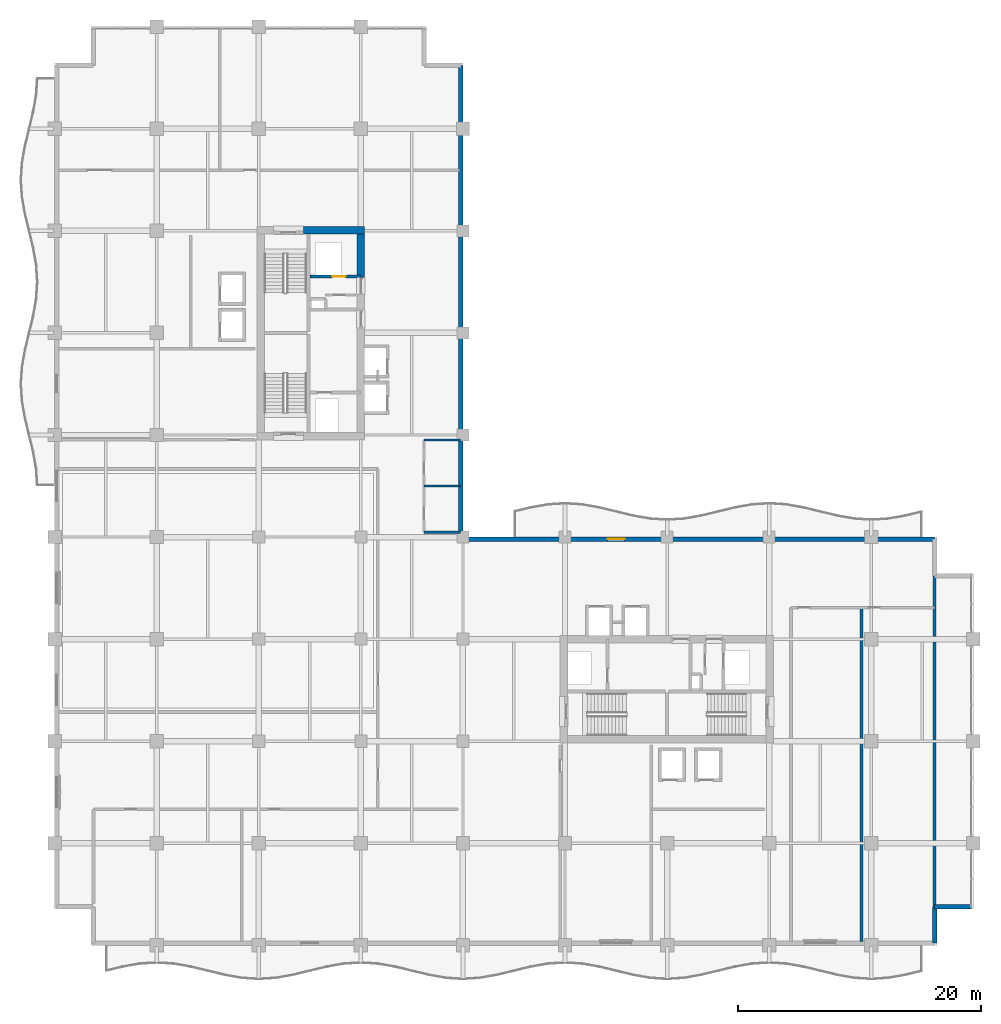
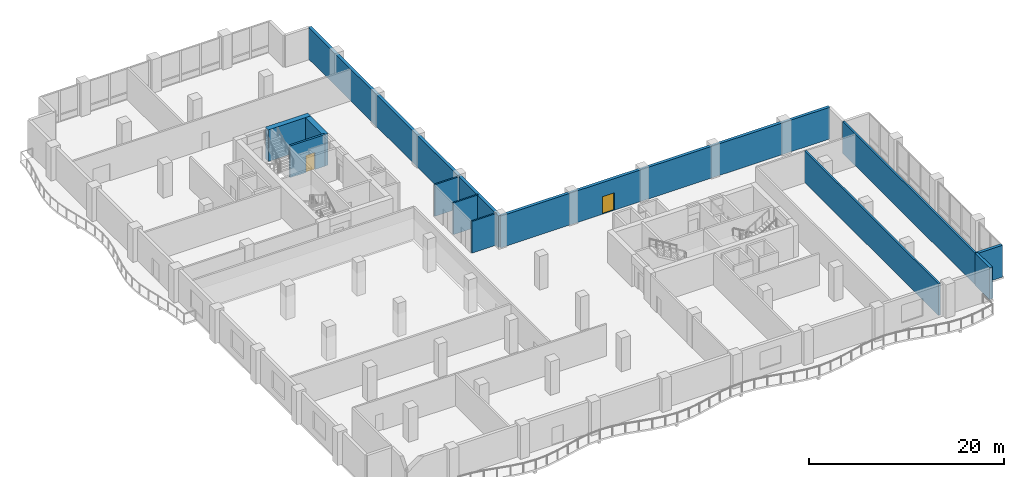
# One storey, part 14 of 22: 12 walls, 2 doors, 2 openings.
"""IFC4 building model written with IfcOpenShell, lengths in metres."""

from ifc_helpers import new_model, si_unit, direction, frame, frame_2d, origin, place, context, subcontext, project, spatial, rectangle, extrude, material, layer, layer_set, type_object, element, fill, save


model = new_model("IFC4")

# Units and contexts
model_context = context("Model", 3, precision=1e-05, world=origin(), true_north=direction((0.0, 1.0)))
body_context = subcontext(model_context, "Body", "Model", "MODEL_VIEW")
ifc_project = project(units=[si_unit("LENGTHUNIT", "METRE"), si_unit("AREAUNIT", "SQUARE_METRE"), si_unit("VOLUMEUNIT", "CUBIC_METRE"), si_unit("PLANEANGLEUNIT", "RADIAN"), si_unit("MASSUNIT", "GRAM", prefix="KILO")], contexts=[model_context])

# Site, building, storey
site_placement = place(None, origin())
site = spatial("IfcSite", under=ifc_project, at=site_placement, CompositionType="ELEMENT")
building_placement = place(site_placement, origin())
building = spatial("IfcBuilding", under=site, at=building_placement, Name="Koriwani Terraces Tower", CompositionType="ELEMENT")
storey_placement = place(building_placement, frame((0.0, 0.0, 219.800048828125)))
storey = spatial("IfcBuildingStorey", under=building, at=storey_placement, Name="L54", CompositionType="ELEMENT", Elevation=219.800048828125)

# Walls
ifc_material_1 = material(Name="Concrete C60/75", Category="concrete")
ifc_layer_1 = layer(ifc_material_1, 0.60009765625, Name="Concrete C60/75")
ifc_layer_set_1 = layer_set([ifc_layer_1], Name="Concrete C60/75")
wall_type_1 = type_object("IfcWallType", Name="WALL_CORE_RC_600", PredefinedType="SHEAR", material=ifc_layer_set_1)
wall_1_placement = place(storey_placement, frame((20.5, 58.85009765625, 0.0), z_axis=(0.0, 0.0, 1.0), x_axis=(1.0, 0.0, 0.0)))
element("IfcWall", 1, at=wall_1_placement, inside=storey, type_object=wall_type_1, Name="L54 West Split Core Shear Wall N2", PredefinedType="SHEAR", context=body_context, shape_type="SweptSolid", body=[
    extrude(rectangle(XDim=5.0, YDim=0.60009765625, at=frame_2d((2.5, 0.0))), origin(), (0.0, 0.0, 1.0), 3.969970703125),
])
wall_2_placement = place(storey_placement, frame((25.199951171875, 54.949951171875, 0.0), z_axis=(0.0, 0.0, 1.0), x_axis=(0.0, 1.0, 0.0)))
element("IfcWall", 2, at=wall_2_placement, inside=storey, type_object=wall_type_1, Name="L54 West Split Core Shear Wall E3", PredefinedType="SHEAR", context=body_context, shape_type="SweptSolid", body=[
    extrude(rectangle(XDim=3.60009765625, YDim=0.60009765625, at=frame_2d((1.800048828125, 0.0))), origin(), (0.0, 0.0, 1.0), 3.969970703125),
])
ifc_material_2 = material(Name="Autoclaved Cellular Concrete Blockwork", Category="masonry")
ifc_layer_2 = layer(ifc_material_2, 0.219970703125, Name="Autoclaved Cellular Concrete Blockwork")
ifc_layer_set_2 = layer_set([ifc_layer_2], Name="Autoclaved Cellular Concrete Blockwork")
wall_type_2 = type_object("IfcWallType", Name="WALL_DEMISING_220", PredefinedType="PARTITIONING", material=ifc_layer_set_2)
wall_3_placement = place(storey_placement, frame((72.39990234375, 3.0, 0.0), z_axis=(0.0, 0.0, 1.0), x_axis=(0.0, 1.0, 0.0)))
element("IfcWall", 3, at=wall_3_placement, inside=storey, type_object=wall_type_2, Name="L54 Interior Wall WSKY-EE-L54", PredefinedType="PARTITIONING", context=body_context, shape_type="SweptSolid", body=[
    extrude(rectangle(XDim=27.39990234375, YDim=0.219970703125, at=frame_2d((13.699951171875, 0.0))), origin(), (0.0, 0.0, 1.0), 3.969970703125),
])
wall_4_placement = place(storey_placement, frame((66.39990234375, 0.300048828125, 0.0), z_axis=(0.0, 0.0, 1.0), x_axis=(0.0, 1.0, 0.0)))
element("IfcWall", 4, at=wall_4_placement, inside=storey, type_object=wall_type_2, Name="L54 Interior Wall WSKY-EDIV-L54", PredefinedType="PARTITIONING", context=body_context, shape_type="SweptSolid", body=[
    extrude(rectangle(XDim=27.5, YDim=0.219970703125, at=frame_2d((13.75, 0.0))), origin(), (0.0, 0.0, 1.0), 3.969970703125),
])
ifc_material_3 = material(Name="Concrete C50/60", Category="concrete")
ifc_layer_3 = layer(ifc_material_3, 0.35009765625, Name="Concrete C50/60")
ifc_layer_set_3 = layer_set([ifc_layer_3], Name="Concrete C50/60")
wall_type_3 = type_object("IfcWallType", Name="WALL_EXT_BRUTALIST_350", PredefinedType="STANDARD", material=ifc_layer_set_3)
wall_5_placement = place(storey_placement, frame((33.425048828125, 72.425048828125, 0.0), z_axis=(0.0, 0.0, 1.0), x_axis=(0.0, -1.0, 0.0)))
element("IfcWall", 5, at=wall_5_placement, inside=storey, type_object=wall_type_3, Name="L54 Fair-Faced Brutalist Exterior Wall (NW_IN)", PredefinedType="STANDARD", context=body_context, shape_type="SweptSolid", body=[
    extrude(rectangle(XDim=39.0, YDim=0.35009765625, at=frame_2d((19.5, 0.0))), origin(), (0.0, 0.0, 1.0), 3.969970703125),
])

# Wall, opening, door
wall_6_placement = place(storey_placement, frame((33.425048828125, 33.425048828125, 0.0), z_axis=(0.0, 0.0, 1.0), x_axis=(1.0, 0.0, 0.0)))
wall_6 = element("IfcWall", 6, at=wall_6_placement, inside=storey, type_object=wall_type_3, Name="L54 Fair-Faced Brutalist Exterior Wall (NE)", PredefinedType="STANDARD", context=body_context, shape_type="SweptSolid", body=[
    extrude(rectangle(XDim=39.0, YDim=0.35009765625, at=frame_2d((19.5, 0.0))), origin(), (0.0, 0.0, 1.0), 3.969970703125),
])
opening_1_placement = place(wall_6_placement, frame((12.074951171875, 0.0, 0.0)))
opening_1 = element("IfcOpeningElement", 7, at=opening_1_placement, cuts=wall_6, Name="Opening D-09", PredefinedType="OPENING", context=body_context, shape_type="SweptSolid", body=[
    extrude(rectangle(XDim=1.39990234375, YDim=2.199951171875, at=frame_2d((0.699951171875, 1.10009765625))), frame((0.0, 0.18505859375, 0.0), z_axis=(0.0, -1.0, 0.0), x_axis=(1.0, 0.0, 0.0)), (0.0, 0.0, 1.0), 0.3701171875),
])
ifc_material_4 = material(Name="Anodised Bronze Aluminium", Category="aluminium")
door_type_1 = type_object("IfcDoorType", Name="DOOR_BALCONY_GLAZED_1400X2200", OperationType="NOTDEFINED", PredefinedType="DOOR", material=ifc_material_4)
door_1_placement = place(opening_1_placement, origin())
door_1 = element("IfcDoor", 8, at=door_1_placement, inside=storey, type_object=door_type_1, Name="L54 Inner Court Balcony Glazed Door", OperationType="SINGLE_SWING_LEFT", OverallHeight=2.199951171875, OverallWidth=1.39990234375, PredefinedType="DOOR", context=body_context, shape_type="SweptSolid", body=[
    extrude(rectangle(XDim=1.39990234375, YDim=2.199951171875, at=frame_2d((0.699951171875, 1.10009765625))), frame((0.0, 0.02490234375, 0.0), z_axis=(0.0, -1.0, 0.0), x_axis=(1.0, 0.0, 0.0)), (0.0, 0.0, 1.0), 0.050048828125),
])
fill(opening_1, door_1)

# Walls
for number, where, z_axis, x_axis, name in (
    (9, (75.425048828125, 3.175048828125, 0.0), (0.0, 0.0, 1.0), (-1.0, 0.0, 0.0), "L54 Fair-Faced Brutalist Exterior Wall (N13)"),
    (10, (72.425048828125, 3.175048828125, 0.0), (0.0, 0.0, 1.0), (0.0, -1.0, 0.0), "L54 Fair-Faced Brutalist Exterior Wall (N14)"),
):
    element("IfcWall", number, at=place(storey_placement, frame(where, z_axis=z_axis, x_axis=x_axis)), inside=storey, type_object=wall_type_3, Name=name, PredefinedType="STANDARD", context=body_context, shape_type="SweptSolid", body=[
        extrude(rectangle(XDim=3.0, YDim=0.35009765625, at=frame_2d((1.5, 0.0))), origin(), (0.0, 0.0, 1.0), 3.969970703125),
    ])
ifc_material_5 = material(Name="Fire-Rated Acoustic Gypsum Partition", Category="masonry")
ifc_layer_4 = layer(ifc_material_5, 0.179931640625, Name="Fire-Rated Acoustic Gypsum Partition")
ifc_layer_set_4 = layer_set([ifc_layer_4], Name="Fire-Rated Acoustic Gypsum Partition")
wall_type_4 = type_object("IfcWallType", Name="WALL_PLUMBING_180", PredefinedType="PLUMBINGWALL", material=ifc_layer_set_4)
for number, where, z_axis, x_axis, name in (
    (11, (30.39990234375, 34.0, 0.0), (0.0, 0.0, 1.0), (1.0, 0.0, 0.0), "L54 Interior Wall WSKY-WCS-L54"),
    (12, (30.39990234375, 37.800048828125, 0.0), (0.0, 0.0, 1.0), (1.0, 0.0, 0.0), "L54 Interior Wall WSKY-WCM-L54"),
    (13, (30.39990234375, 41.60009765625, 0.0), (0.0, 0.0, 1.0), (1.0, 0.0, 0.0), "L54 Interior Wall WSKY-WCN-L54"),
):
    element("IfcWall", number, at=place(storey_placement, frame(where, z_axis=z_axis, x_axis=x_axis)), inside=storey, type_object=wall_type_4, Name=name, PredefinedType="PLUMBINGWALL", context=body_context, shape_type="SweptSolid", body=[
        extrude(rectangle(XDim=3.0, YDim=0.179931640625, at=frame_2d((1.5, 0.0))), origin(), (0.0, 0.0, 1.0), 3.969970703125),
    ])

# Wall, opening, door
ifc_material_6 = material(Name="Concrete C40/50", Category="concrete")
ifc_layer_5 = layer(ifc_material_6, 0.25, Name="Concrete C40/50")
ifc_layer_set_5 = layer_set([ifc_layer_5], Name="Concrete C40/50")
wall_type_5 = type_object("IfcWallType", Name="WALL_SHAFT_RATED_250", PredefinedType="SOLIDWALL", material=ifc_layer_set_5)
wall_7_placement = place(storey_placement, frame((21.0, 55.050048828125, 0.0), z_axis=(0.0, 0.0, 1.0), x_axis=(1.0, 0.0, 0.0)))
wall_7 = element("IfcWall", 14, at=wall_7_placement, inside=storey, type_object=wall_type_5, Name="L54 Interior Wall WIN-CW-L54-SE", PredefinedType="SOLIDWALL", context=body_context, shape_type="SweptSolid", body=[
    extrude(rectangle(XDim=4.14990234375, YDim=0.25, at=frame_2d((2.074951171875, 0.0))), origin(), (0.0, 0.0, 1.0), 3.969970703125),
])
opening_2_placement = place(wall_7_placement, frame((1.85009765625, 0.0, 0.0)))
opening_2 = element("IfcOpeningElement", 15, at=opening_2_placement, cuts=wall_7, Name="Opening LD-01", PredefinedType="OPENING", context=body_context, shape_type="SweptSolid", body=[
    extrude(rectangle(XDim=1.10009765625, YDim=2.14990234375, at=frame_2d((0.550048828125, 1.074951171875))), frame((0.0, 0.135009765625, 0.0), z_axis=(0.0, -1.0, 0.0), x_axis=(1.0, 0.0, 0.0)), (0.0, 0.0, 1.0), 0.27001953125),
])
ifc_material_7 = material(Name="Steel ASTM A572 Grade 50", Category="steel")
door_type_2 = type_object("IfcDoorType", Name="DOOR_LIFT_LANDING_1100X2200", OperationType="NOTDEFINED", PredefinedType="DOOR", material=ifc_material_7)
door_2_placement = place(opening_2_placement, origin())
door_2 = element("IfcDoor", 16, at=door_2_placement, inside=storey, type_object=door_type_2, Name="L54 Goods Lift SE-01 Landing Door", OperationType="SLIDING_TO_LEFT", OverallHeight=2.14990234375, OverallWidth=1.10009765625, PredefinedType="DOOR", context=body_context, shape_type="SweptSolid", body=[
    extrude(rectangle(XDim=1.10009765625, YDim=2.14990234375, at=frame_2d((0.550048828125, 1.074951171875))), frame((0.0, 0.02490234375, 0.0), z_axis=(0.0, -1.0, 0.0), x_axis=(1.0, 0.0, 0.0)), (0.0, 0.0, 1.0), 0.050048828125),
])
fill(opening_2, door_2)

save(model, "model.ifc")
